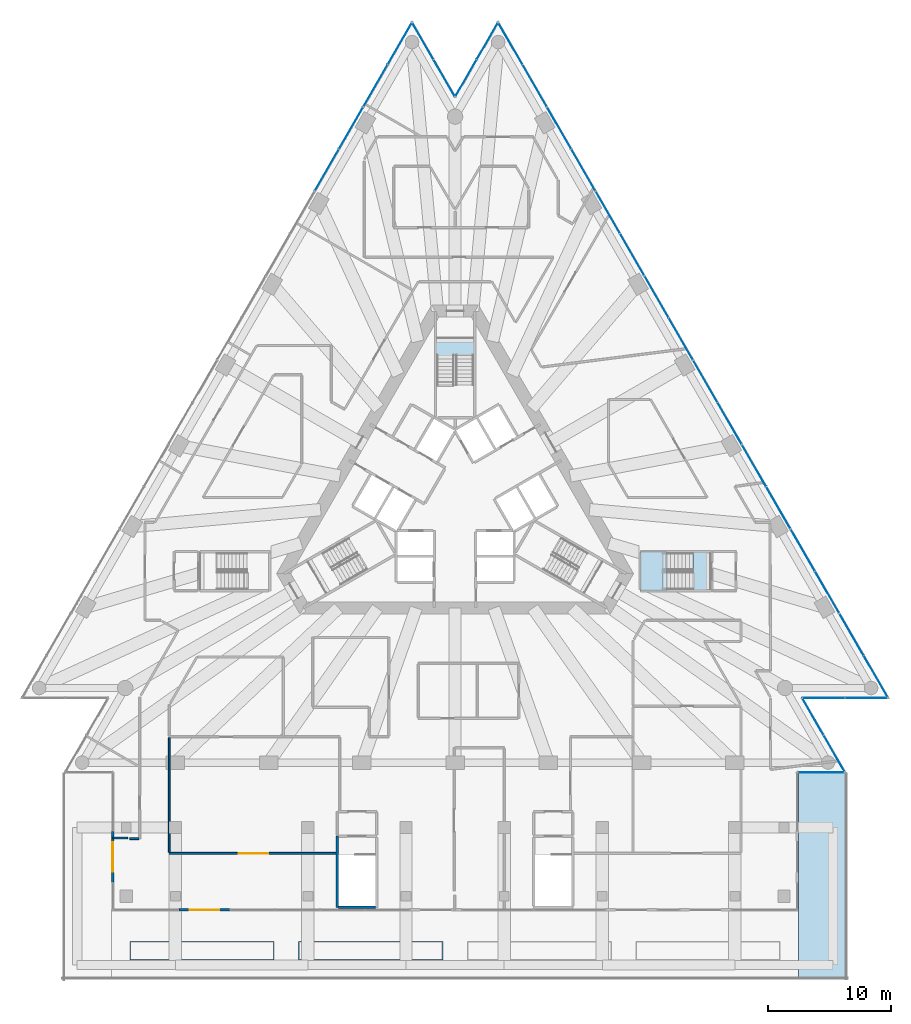
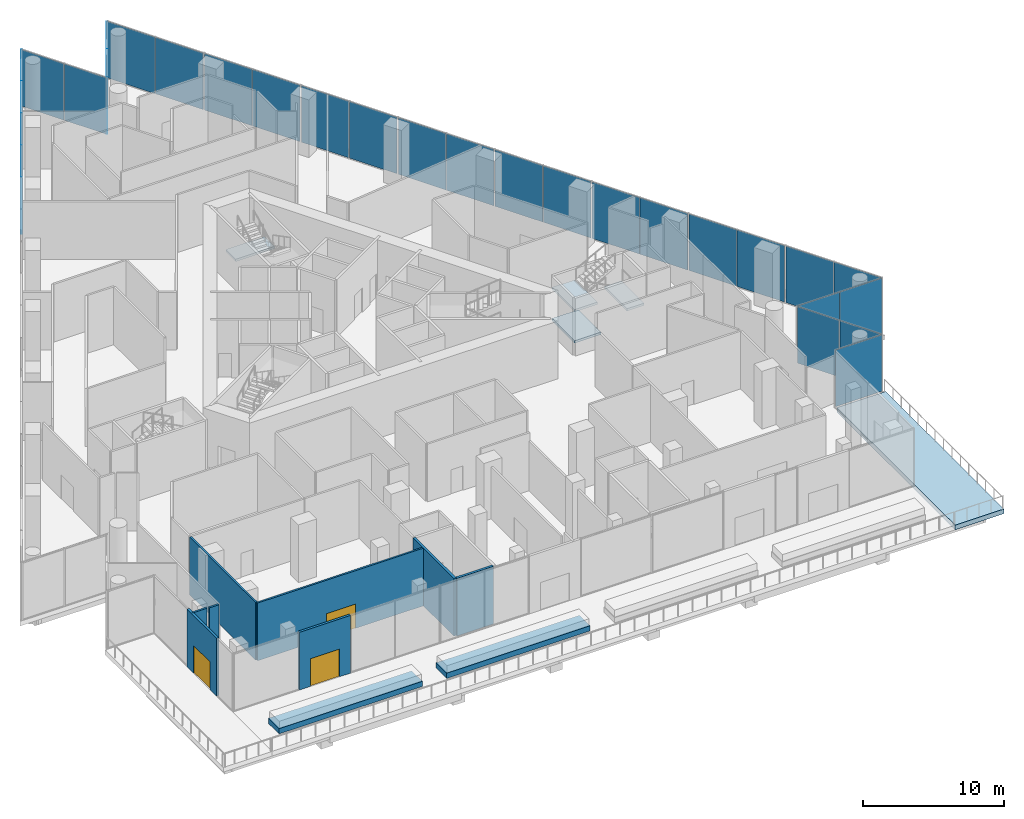
# One storey, part 20 of 29: 29 plates, 10 walls, 5 slabs, 3 doors, 3 openings, 17 elements without a shape of their own.
"""IFC4 building model written with IfcOpenShell, lengths in metres."""

from ifc_helpers import new_model, si_unit, direction, frame, frame_2d, origin, origin_2d, place, context, subcontext, project, spatial, polyline, rectangle, outline, extrude, material, layer, layer_set, layer_usage, type_object, element, fill, aggregate, save


model = new_model("IFC4")

# Units and contexts
model_context = context("Model", 3, precision=1e-05, world=origin(), true_north=direction((0.0, 1.0)))
body_context = subcontext(model_context, "Body", "Model", "MODEL_VIEW")
ifc_project = project(units=[si_unit("LENGTHUNIT", "METRE"), si_unit("AREAUNIT", "SQUARE_METRE"), si_unit("VOLUMEUNIT", "CUBIC_METRE"), si_unit("PLANEANGLEUNIT", "RADIAN"), si_unit("MASSUNIT", "GRAM", prefix="KILO")], contexts=[model_context])

# Site, building, storey
site_placement = place(None, origin())
site = spatial("IfcSite", under=ifc_project, at=site_placement, CompositionType="ELEMENT")
building_placement = place(site_placement, origin())
building = spatial("IfcBuilding", under=site, at=building_placement, Name="Triada Interchange Tower", CompositionType="ELEMENT")
storey_placement = place(building_placement, frame((0.0, 0.0, 19.89990234375)))
storey = spatial("IfcBuildingStorey", under=building, at=storey_placement, Name="L03", CompositionType="ELEMENT", Elevation=19.89990234375)

# Curtain wall, plate
ifc_material_1 = material(Name="Aluminium framed glazing", Category="aluminium")
ifc_layer_1 = layer(ifc_material_1, 0.199951171875)
ifc_layer_set_1 = layer_set([ifc_layer_1], Name="Curtain wall Retail shopfront")
curtain_wall_type = type_object("IfcCurtainWallType", Name="Curtain wall Retail shopfront", PredefinedType="NOTDEFINED", material=ifc_layer_set_1)
curtain_wall_1_placement = place(storey_placement, origin())
curtain_wall_1 = element("IfcCurtainWall", 1, at=curtain_wall_1_placement, inside=storey, type_object=curtain_wall_type, Name="Retail shopfront CW010 L03", PredefinedType="NOTDEFINED")
ifc_material_2 = material(Name="Insulated glazing unit", Category="glass")
ifc_layer_2 = layer(ifc_material_2, 0.028076171875)
ifc_layer_set_2 = layer_set([ifc_layer_2], Name="Glazing panel Retail shopfront 28")
plate_type = type_object("IfcPlateType", Name="Glazing panel Retail shopfront 28", PredefinedType="CURTAIN_PANEL", material=ifc_layer_set_2)
plate_1_placement = place(storey_placement, frame((29.841552734375, -22.39990234375, 0.050048828125), z_axis=(0.0, 0.0, 1.0), x_axis=(1.0, 0.0, 0.0)))
plate_1 = element("IfcPlate", 2, at=plate_1_placement, type_object=plate_type, Name="CW010 panel 1.1", PredefinedType="CURTAIN_PANEL", context=body_context, shape_type="SweptSolid", body=[
    extrude(rectangle(XDim=3.782958984375, YDim=0.028076171875, at=origin_2d()), origin(), (0.0, 0.0, 1.0), 4.89990234375),
])
aggregate(curtain_wall_1, [plate_1])

# Curtain wall, plates
curtain_wall_2_placement = place(storey_placement, origin())
curtain_wall_2 = element("IfcCurtainWall", 3, at=curtain_wall_2_placement, inside=storey, type_object=curtain_wall_type, Name="Retail shopfront CW011 L03", PredefinedType="NOTDEFINED")
plate_2_placement = place(storey_placement, frame((30.89990234375, -20.870361328125, 0.050048828125), z_axis=(0.0, 0.0, 1.0), x_axis=(-0.499956922962, 0.866050272896, 0.0)))
plate_2 = element("IfcPlate", 4, at=plate_2_placement, type_object=plate_type, Name="CW011 panel 1.1", PredefinedType="CURTAIN_PANEL", context=body_context, shape_type="SweptSolid", body=[
    extrude(rectangle(XDim=3.432373046875, YDim=0.028076171875, at=origin_2d()), origin(), (0.0, 0.0, 1.0), 4.89990234375),
])
plate_3_placement = place(storey_placement, frame((29.158935546875, -17.8544921875, 0.050048828125), z_axis=(0.0, 0.0, 1.0), x_axis=(-0.499956922962, 0.866050272896, 0.0)))
plate_3 = element("IfcPlate", 5, at=plate_3_placement, type_object=plate_type, Name="CW011 panel 2.1", PredefinedType="CURTAIN_PANEL", context=body_context, shape_type="SweptSolid", body=[
    extrude(rectangle(XDim=3.432373046875, YDim=0.028076171875, at=origin_2d()), origin(), (0.0, 0.0, 1.0), 4.89990234375),
])
aggregate(curtain_wall_2, [plate_2, plate_3])

curtain_wall_3_placement = place(storey_placement, origin())
curtain_wall_3 = element("IfcCurtainWall", 6, at=curtain_wall_3_placement, inside=storey, type_object=curtain_wall_type, Name="Retail shopfront CW012 L03", PredefinedType="NOTDEFINED")
plate_4_placement = place(storey_placement, frame((30.042236328125, -16.324951171875, 0.050048828125), z_axis=(0.0, 0.0, 1.0), x_axis=(1.0, 0.0, 0.0)))
plate_4 = element("IfcPlate", 7, at=plate_4_placement, type_object=plate_type, Name="CW012 panel 1.1", PredefinedType="CURTAIN_PANEL", context=body_context, shape_type="SweptSolid", body=[
    extrude(rectangle(XDim=3.4326171875, YDim=0.028076171875, at=origin_2d()), origin(), (0.0, 0.0, 1.0), 4.89990234375),
])
plate_5_placement = place(storey_placement, frame((33.524658203125, -16.324951171875, 0.050048828125), z_axis=(0.0, 0.0, 1.0), x_axis=(1.0, 0.0, 0.0)))
plate_5 = element("IfcPlate", 8, at=plate_5_placement, type_object=plate_type, Name="CW012 panel 2.1", PredefinedType="CURTAIN_PANEL", context=body_context, shape_type="SweptSolid", body=[
    extrude(rectangle(XDim=3.4326171875, YDim=0.028076171875, at=origin_2d()), origin(), (0.0, 0.0, 1.0), 4.89990234375),
])
aggregate(curtain_wall_3, [plate_4, plate_5])

curtain_wall_4_placement = place(storey_placement, origin())
curtain_wall_4 = element("IfcCurtainWall", 9, at=curtain_wall_4_placement, inside=storey, type_object=curtain_wall_type, Name="Retail shopfront CW013 L03", PredefinedType="NOTDEFINED")
plate_6_placement = place(storey_placement, frame((34.292236328125, -14.594970703125, 0.050048828125), z_axis=(0.0, 0.0, 1.0), x_axis=(-0.499958648825, 0.86604927658, 0.0)))
plate_6 = element("IfcPlate", 10, at=plate_6_placement, type_object=plate_type, Name="CW013 panel 1.1", PredefinedType="CURTAIN_PANEL", context=body_context, shape_type="SweptSolid", body=[
    extrude(rectangle(XDim=3.895263671875, YDim=0.028076171875, at=origin_2d()), origin(), (0.0, 0.0, 1.0), 4.89990234375),
])
plate_7_placement = place(storey_placement, frame((32.31982421875, -11.177978515625, 0.050048828125), z_axis=(0.0, 0.0, 1.0), x_axis=(-0.499958648825, 0.86604927658, 0.0)))
plate_7 = element("IfcPlate", 11, at=plate_7_placement, type_object=plate_type, Name="CW013 panel 2.1", PredefinedType="CURTAIN_PANEL", context=body_context, shape_type="SweptSolid", body=[
    extrude(rectangle(XDim=3.895263671875, YDim=0.028076171875, at=origin_2d()), origin(), (0.0, 0.0, 1.0), 4.89990234375),
])
aggregate(curtain_wall_4, [plate_6, plate_7])

curtain_wall_5_placement = place(storey_placement, origin())
curtain_wall_5 = element("IfcCurtainWall", 12, at=curtain_wall_5_placement, inside=storey, type_object=curtain_wall_type, Name="Retail shopfront CW014 L03", PredefinedType="NOTDEFINED")
plate_8_placement = place(storey_placement, frame((30.31689453125, -7.710205078125, 0.050048828125), z_axis=(0.0, 0.0, 1.0), x_axis=(-0.499947913852, 0.866055473648, 0.0)))
plate_8 = element("IfcPlate", 13, at=plate_8_placement, type_object=plate_type, Name="CW014 panel 1.1", PredefinedType="CURTAIN_PANEL", context=body_context, shape_type="SweptSolid", body=[
    extrude(rectangle(XDim=3.892333984375, YDim=0.028076171875, at=origin_2d()), origin(), (0.0, 0.0, 1.0), 4.89990234375),
])
plate_9_placement = place(storey_placement, frame((28.345947265625, -4.2958984375, 0.050048828125), z_axis=(0.0, 0.0, 1.0), x_axis=(-0.499947913852, 0.866055473648, 0.0)))
plate_9 = element("IfcPlate", 14, at=plate_9_placement, type_object=plate_type, Name="CW014 panel 2.1", PredefinedType="CURTAIN_PANEL", context=body_context, shape_type="SweptSolid", body=[
    extrude(rectangle(XDim=3.892333984375, YDim=0.028076171875, at=origin_2d()), origin(), (0.0, 0.0, 1.0), 4.89990234375),
])
aggregate(curtain_wall_5, [plate_8, plate_9])

curtain_wall_6_placement = place(storey_placement, origin())
curtain_wall_6 = element("IfcCurtainWall", 15, at=curtain_wall_6_placement, inside=storey, type_object=curtain_wall_type, Name="Retail shopfront CW015 L03", PredefinedType="NOTDEFINED")
plate_10_placement = place(storey_placement, frame((26.343994140625, -0.8291015625, 0.050048828125), z_axis=(0.0, 0.0, 1.0), x_axis=(-0.499947913852, 0.866055473648, 0.0)))
plate_10 = element("IfcPlate", 16, at=plate_10_placement, type_object=plate_type, Name="CW015 panel 1.1", PredefinedType="CURTAIN_PANEL", context=body_context, shape_type="SweptSolid", body=[
    extrude(rectangle(XDim=3.892333984375, YDim=0.028076171875, at=origin_2d()), origin(), (0.0, 0.0, 1.0), 4.89990234375),
])
plate_11_placement = place(storey_placement, frame((24.373046875, 2.585205078125, 0.050048828125), z_axis=(0.0, 0.0, 1.0), x_axis=(-0.499947913852, 0.866055473648, 0.0)))
plate_11 = element("IfcPlate", 17, at=plate_11_placement, type_object=plate_type, Name="CW015 panel 2.1", PredefinedType="CURTAIN_PANEL", context=body_context, shape_type="SweptSolid", body=[
    extrude(rectangle(XDim=3.892333984375, YDim=0.028076171875, at=origin_2d()), origin(), (0.0, 0.0, 1.0), 4.89990234375),
])
aggregate(curtain_wall_6, [plate_10, plate_11])

curtain_wall_7_placement = place(storey_placement, origin())
curtain_wall_7 = element("IfcCurtainWall", 18, at=curtain_wall_7_placement, inside=storey, type_object=curtain_wall_type, Name="Retail shopfront CW016 L03", PredefinedType="NOTDEFINED")
plate_12_placement = place(storey_placement, frame((22.37109375, 6.052001953125, 0.050048828125), z_axis=(0.0, 0.0, 1.0), x_axis=(-0.499893351442, 0.866086968603, 0.0)))
plate_12 = element("IfcPlate", 19, at=plate_12_placement, type_object=plate_type, Name="CW016 panel 1.1", PredefinedType="CURTAIN_PANEL", context=body_context, shape_type="SweptSolid", body=[
    extrude(rectangle(XDim=3.892822265625, YDim=0.028076171875, at=origin_2d()), origin(), (0.0, 0.0, 1.0), 4.89990234375),
])
plate_13_placement = place(storey_placement, frame((20.39990234375, 9.467041015625, 0.050048828125), z_axis=(0.0, 0.0, 1.0), x_axis=(-0.499893351442, 0.866086968603, 0.0)))
plate_13 = element("IfcPlate", 20, at=plate_13_placement, type_object=plate_type, Name="CW016 panel 2.1", PredefinedType="CURTAIN_PANEL", context=body_context, shape_type="SweptSolid", body=[
    extrude(rectangle(XDim=3.892822265625, YDim=0.028076171875, at=origin_2d()), origin(), (0.0, 0.0, 1.0), 4.89990234375),
])
aggregate(curtain_wall_7, [plate_12, plate_13])

curtain_wall_8_placement = place(storey_placement, origin())
curtain_wall_8 = element("IfcCurtainWall", 21, at=curtain_wall_8_placement, inside=storey, type_object=curtain_wall_type, Name="Retail shopfront CW017 L03", PredefinedType="NOTDEFINED")
plate_14_placement = place(storey_placement, frame((18.39794921875, 12.93310546875, 0.050048828125), z_axis=(0.0, 0.0, 1.0), x_axis=(-0.499893351442, 0.866086968603, 0.0)))
plate_14 = element("IfcPlate", 22, at=plate_14_placement, type_object=plate_type, Name="CW017 panel 1.1", PredefinedType="CURTAIN_PANEL", context=body_context, shape_type="SweptSolid", body=[
    extrude(rectangle(XDim=3.892822265625, YDim=0.028076171875, at=origin_2d()), origin(), (0.0, 0.0, 1.0), 4.89990234375),
])
plate_15_placement = place(storey_placement, frame((16.427001953125, 16.347900390625, 0.050048828125), z_axis=(0.0, 0.0, 1.0), x_axis=(-0.499893351442, 0.866086968603, 0.0)))
plate_15 = element("IfcPlate", 23, at=plate_15_placement, type_object=plate_type, Name="CW017 panel 2.1", PredefinedType="CURTAIN_PANEL", context=body_context, shape_type="SweptSolid", body=[
    extrude(rectangle(XDim=3.892822265625, YDim=0.028076171875, at=origin_2d()), origin(), (0.0, 0.0, 1.0), 4.89990234375),
])
aggregate(curtain_wall_8, [plate_14, plate_15])

curtain_wall_9_placement = place(storey_placement, origin())
curtain_wall_9 = element("IfcCurtainWall", 24, at=curtain_wall_9_placement, inside=storey, type_object=curtain_wall_type, Name="Retail shopfront CW018 L03", PredefinedType="NOTDEFINED")
plate_16_placement = place(storey_placement, frame((14.425048828125, 19.81494140625, 0.050048828125), z_axis=(0.0, 0.0, 1.0), x_axis=(-0.499947913852, 0.866055473648, 0.0)))
plate_16 = element("IfcPlate", 25, at=plate_16_placement, type_object=plate_type, Name="CW018 panel 1.1", PredefinedType="CURTAIN_PANEL", context=body_context, shape_type="SweptSolid", body=[
    extrude(rectangle(XDim=3.892333984375, YDim=0.028076171875, at=origin_2d()), origin(), (0.0, 0.0, 1.0), 4.89990234375),
])
plate_17_placement = place(storey_placement, frame((12.4541015625, 23.229248046875, 0.050048828125), z_axis=(0.0, 0.0, 1.0), x_axis=(-0.499947913852, 0.866055473648, 0.0)))
plate_17 = element("IfcPlate", 26, at=plate_17_placement, type_object=plate_type, Name="CW018 panel 2.1", PredefinedType="CURTAIN_PANEL", context=body_context, shape_type="SweptSolid", body=[
    extrude(rectangle(XDim=3.892333984375, YDim=0.028076171875, at=origin_2d()), origin(), (0.0, 0.0, 1.0), 4.89990234375),
])
aggregate(curtain_wall_9, [plate_16, plate_17])

curtain_wall_10_placement = place(storey_placement, origin())
curtain_wall_10 = element("IfcCurtainWall", 27, at=curtain_wall_10_placement, inside=storey, type_object=curtain_wall_type, Name="Retail shopfront CW019 L03", PredefinedType="NOTDEFINED")
plate_18_placement = place(storey_placement, frame((10.451904296875, 26.69580078125, 0.050048828125), z_axis=(0.0, 0.0, 1.0), x_axis=(-0.499947913852, 0.866055473648, 0.0)))
plate_18 = element("IfcPlate", 28, at=plate_18_placement, type_object=plate_type, Name="CW019 panel 1.1", PredefinedType="CURTAIN_PANEL", context=body_context, shape_type="SweptSolid", body=[
    extrude(rectangle(XDim=3.892333984375, YDim=0.028076171875, at=origin_2d()), origin(), (0.0, 0.0, 1.0), 4.89990234375),
])
plate_19_placement = place(storey_placement, frame((8.48095703125, 30.110107421875, 0.050048828125), z_axis=(0.0, 0.0, 1.0), x_axis=(-0.499947913852, 0.866055473648, 0.0)))
plate_19 = element("IfcPlate", 29, at=plate_19_placement, type_object=plate_type, Name="CW019 panel 2.1", PredefinedType="CURTAIN_PANEL", context=body_context, shape_type="SweptSolid", body=[
    extrude(rectangle(XDim=3.892333984375, YDim=0.028076171875, at=origin_2d()), origin(), (0.0, 0.0, 1.0), 4.89990234375),
])
aggregate(curtain_wall_10, [plate_18, plate_19])

curtain_wall_11_placement = place(storey_placement, origin())
curtain_wall_11 = element("IfcCurtainWall", 30, at=curtain_wall_11_placement, inside=storey, type_object=curtain_wall_type, Name="Retail shopfront CW020 L03", PredefinedType="NOTDEFINED")
plate_20_placement = place(storey_placement, frame((6.478271484375, 33.578125, 0.050048828125), z_axis=(0.0, 0.0, 1.0), x_axis=(-0.499958648825, 0.86604927658, 0.0)))
plate_20 = element("IfcPlate", 31, at=plate_20_placement, type_object=plate_type, Name="CW020 panel 1.1", PredefinedType="CURTAIN_PANEL", context=body_context, shape_type="SweptSolid", body=[
    extrude(rectangle(XDim=3.895263671875, YDim=0.028076171875, at=origin_2d()), origin(), (0.0, 0.0, 1.0), 4.89990234375),
])
plate_21_placement = place(storey_placement, frame((4.505859375, 36.994873046875, 0.050048828125), z_axis=(0.0, 0.0, 1.0), x_axis=(-0.499958648825, 0.86604927658, 0.0)))
plate_21 = element("IfcPlate", 32, at=plate_21_placement, type_object=plate_type, Name="CW020 panel 2.1", PredefinedType="CURTAIN_PANEL", context=body_context, shape_type="SweptSolid", body=[
    extrude(rectangle(XDim=3.895263671875, YDim=0.028076171875, at=origin_2d()), origin(), (0.0, 0.0, 1.0), 4.89990234375),
])
aggregate(curtain_wall_11, [plate_20, plate_21])

curtain_wall_12_placement = place(storey_placement, origin())
curtain_wall_12 = element("IfcCurtainWall", 33, at=curtain_wall_12_placement, inside=storey, type_object=curtain_wall_type, Name="Retail shopfront CW021 L03", PredefinedType="NOTDEFINED")
plate_22_placement = place(storey_placement, frame((2.6240234375, 37.1953125, 0.050048828125), z_axis=(0.0, 0.0, 1.0), x_axis=(-0.499956922962, -0.866050272896, 0.0)))
plate_22 = element("IfcPlate", 34, at=plate_22_placement, type_object=plate_type, Name="CW021 panel 1.1", PredefinedType="CURTAIN_PANEL", context=body_context, shape_type="SweptSolid", body=[
    extrude(rectangle(XDim=3.432373046875, YDim=0.028076171875, at=origin_2d()), origin(), (0.0, 0.0, 1.0), 4.89990234375),
])
plate_23_placement = place(storey_placement, frame((0.883056640625, 34.1796875, 0.050048828125), z_axis=(0.0, 0.0, 1.0), x_axis=(-0.499956922962, -0.866050272896, 0.0)))
plate_23 = element("IfcPlate", 35, at=plate_23_placement, type_object=plate_type, Name="CW021 panel 2.1", PredefinedType="CURTAIN_PANEL", context=body_context, shape_type="SweptSolid", body=[
    extrude(rectangle(XDim=3.432373046875, YDim=0.028076171875, at=origin_2d()), origin(), (0.0, 0.0, 1.0), 4.89990234375),
])
aggregate(curtain_wall_12, [plate_22, plate_23])

curtain_wall_13_placement = place(storey_placement, origin())
curtain_wall_13 = element("IfcCurtainWall", 36, at=curtain_wall_13_placement, inside=storey, type_object=curtain_wall_type, Name="Retail shopfront CW022 L03", PredefinedType="NOTDEFINED")
plate_24_placement = place(storey_placement, frame((-0.883056640625, 34.1796875, 0.050048828125), z_axis=(0.0, 0.0, 1.0), x_axis=(-0.499956922962, 0.866050272896, 0.0)))
plate_24 = element("IfcPlate", 37, at=plate_24_placement, type_object=plate_type, Name="CW022 panel 1.1", PredefinedType="CURTAIN_PANEL", context=body_context, shape_type="SweptSolid", body=[
    extrude(rectangle(XDim=3.432373046875, YDim=0.028076171875, at=origin_2d()), origin(), (0.0, 0.0, 1.0), 4.89990234375),
])
plate_25_placement = place(storey_placement, frame((-2.6240234375, 37.1953125, 0.050048828125), z_axis=(0.0, 0.0, 1.0), x_axis=(-0.499956922962, 0.866050272896, 0.0)))
plate_25 = element("IfcPlate", 38, at=plate_25_placement, type_object=plate_type, Name="CW022 panel 2.1", PredefinedType="CURTAIN_PANEL", context=body_context, shape_type="SweptSolid", body=[
    extrude(rectangle(XDim=3.432373046875, YDim=0.028076171875, at=origin_2d()), origin(), (0.0, 0.0, 1.0), 4.89990234375),
])
aggregate(curtain_wall_13, [plate_24, plate_25])

curtain_wall_14_placement = place(storey_placement, origin())
curtain_wall_14 = element("IfcCurtainWall", 39, at=curtain_wall_14_placement, inside=storey, type_object=curtain_wall_type, Name="Retail shopfront CW023 L03", PredefinedType="NOTDEFINED")
plate_26_placement = place(storey_placement, frame((-4.505859375, 36.994873046875, 0.050048828125), z_axis=(0.0, 0.0, 1.0), x_axis=(-0.499958648825, -0.86604927658, 0.0)))
plate_26 = element("IfcPlate", 40, at=plate_26_placement, type_object=plate_type, Name="CW023 panel 1.1", PredefinedType="CURTAIN_PANEL", context=body_context, shape_type="SweptSolid", body=[
    extrude(rectangle(XDim=3.895263671875, YDim=0.028076171875, at=origin_2d()), origin(), (0.0, 0.0, 1.0), 4.89990234375),
])
plate_27_placement = place(storey_placement, frame((-6.478271484375, 33.578125, 0.050048828125), z_axis=(0.0, 0.0, 1.0), x_axis=(-0.499958648825, -0.86604927658, 0.0)))
plate_27 = element("IfcPlate", 41, at=plate_27_placement, type_object=plate_type, Name="CW023 panel 2.1", PredefinedType="CURTAIN_PANEL", context=body_context, shape_type="SweptSolid", body=[
    extrude(rectangle(XDim=3.895263671875, YDim=0.028076171875, at=origin_2d()), origin(), (0.0, 0.0, 1.0), 4.89990234375),
])
aggregate(curtain_wall_14, [plate_26, plate_27])

curtain_wall_15_placement = place(storey_placement, origin())
curtain_wall_15 = element("IfcCurtainWall", 42, at=curtain_wall_15_placement, inside=storey, type_object=curtain_wall_type, Name="Retail shopfront CW024 L03", PredefinedType="NOTDEFINED")
plate_28_placement = place(storey_placement, frame((-8.48095703125, 30.110107421875, 0.050048828125), z_axis=(0.0, 0.0, 1.0), x_axis=(-0.499947913852, -0.866055473648, 0.0)))
plate_28 = element("IfcPlate", 43, at=plate_28_placement, type_object=plate_type, Name="CW024 panel 1.1", PredefinedType="CURTAIN_PANEL", context=body_context, shape_type="SweptSolid", body=[
    extrude(rectangle(XDim=3.892333984375, YDim=0.028076171875, at=origin_2d()), origin(), (0.0, 0.0, 1.0), 4.89990234375),
])
plate_29_placement = place(storey_placement, frame((-10.451904296875, 26.69580078125, 0.050048828125), z_axis=(0.0, 0.0, 1.0), x_axis=(-0.499947913852, -0.866055473648, 0.0)))
plate_29 = element("IfcPlate", 44, at=plate_29_placement, type_object=plate_type, Name="CW024 panel 2.1", PredefinedType="CURTAIN_PANEL", context=body_context, shape_type="SweptSolid", body=[
    extrude(rectangle(XDim=3.892333984375, YDim=0.028076171875, at=origin_2d()), origin(), (0.0, 0.0, 1.0), 4.89990234375),
])
aggregate(curtain_wall_15, [plate_28, plate_29])

# Stair, slab
ifc_material_3 = material(Name="Concrete C35/45", Category="concrete")
stair_type = type_object("IfcStairType", Name="HALF TURN STAIR 1400", PredefinedType="HALF_TURN_STAIR", material=ifc_material_3)
stair_1_placement = place(storey_placement, origin())
stair_1 = element("IfcStair", 45, at=stair_1_placement, inside=storey, type_object=stair_type, Name="Exit stair S03-1", PredefinedType="HALF_TURN_STAIR")
ifc_layer_3 = layer(ifc_material_3, 0.199951171875)
ifc_layer_set_3 = layer_set([ifc_layer_3], Name="STAIR LANDING 200")
slab_type_1 = type_object("IfcSlabType", Name="STAIR LANDING 200", PredefinedType="LANDING", material=ifc_layer_set_3)
slab_1_placement = place(storey_placement, frame((0.0, 0.0, 2.34130859375)))
slab_1 = element("IfcSlab", 46, at=slab_1_placement, type_object=slab_type_1, Name="S03-1 landing 3", PredefinedType="LANDING", context=body_context, shape_type="SweptSolid", body=[
    extrude(outline(polyline([(1.60009765625, 11.60009765625), (1.60009765625, 13.0), (-1.60009765625, 13.0), (-1.60009765625, 11.60009765625), (1.60009765625, 11.60009765625)])), origin(), (0.0, 0.0, 1.0), 0.199951171875),
])
aggregate(stair_1, [slab_1])

# Stair, slabs
stair_2_placement = place(storey_placement, origin())
stair_2 = element("IfcStair", 47, at=stair_2_placement, inside=storey, type_object=stair_type, Name="Exit stair S03-7", PredefinedType="HALF_TURN_STAIR")
slab_2_placement = place(storey_placement, frame((0.0, 0.0, 1.07080078125)))
slab_2 = element("IfcSlab", 48, at=slab_2_placement, type_object=slab_type_1, Name="S03-7 landing 1", PredefinedType="LANDING", context=body_context, shape_type="SweptSolid", body=[
    extrude(outline(polyline([(15.10009765625, -7.60009765625), (17.264892578125, -7.60009765625), (17.264892578125, -4.39990234375), (15.10009765625, -4.39990234375), (15.10009765625, -7.60009765625)])), origin(), (0.0, 0.0, 1.0), 0.199951171875),
])
slab_3_placement = place(storey_placement, frame((0.0, 0.0, 3.7705078125)))
slab_3 = element("IfcSlab", 49, at=slab_3_placement, type_object=slab_type_1, Name="S03-7 landing 2", PredefinedType="LANDING", context=body_context, shape_type="SweptSolid", body=[
    extrude(outline(polyline([(15.10009765625, -7.60009765625), (16.9599609375, -7.60009765625), (16.9599609375, -4.39990234375), (15.10009765625, -4.39990234375), (15.10009765625, -7.60009765625)])), origin(), (0.0, 0.0, 1.0), 0.2001953125),
])
slab_4_placement = place(storey_placement, frame((0.0, 0.0, 2.34130859375)))
slab_4 = element("IfcSlab", 50, at=slab_4_placement, type_object=slab_type_1, Name="S03-7 landing 3", PredefinedType="LANDING", context=body_context, shape_type="SweptSolid", body=[
    extrude(outline(polyline([(19.39990234375, -7.60009765625), (20.800048828125, -7.60009765625), (20.800048828125, -4.39990234375), (19.39990234375, -4.39990234375), (19.39990234375, -7.60009765625)])), origin(), (0.0, 0.0, 1.0), 0.199951171875),
])
aggregate(stair_2, [slab_2, slab_3, slab_4])

# Slab
ifc_material_4 = material(Name="Concrete C30/37 paving slab", Category="concrete")
ifc_layer_4 = layer(ifc_material_4, 0.0400390625, Name="Paving slab")
ifc_material_5 = material(Name="Drainage mat")
ifc_layer_5 = layer(ifc_material_5, 0.02490234375, Name="Drainage layer")
ifc_material_6 = material(Name="Bituminous membrane")
ifc_layer_6 = layer(ifc_material_6, 0.0048828125, Name="Waterproof membrane")
ifc_material_7 = material(Name="Mineral wool")
ifc_layer_7 = layer(ifc_material_7, 0.080078125, Name="Thermal insulation")
ifc_material_8 = material(Name="Screed CT-C25-F4")
ifc_layer_8 = layer(ifc_material_8, 0.050048828125, Name="Screed to falls")
ifc_material_9 = material(Name="Concrete C40/50", Category="concrete")
ifc_layer_9 = layer(ifc_material_9, 0.199951171875, Name="Reinforced concrete slab")
ifc_layer_set_4 = layer_set([ifc_layer_4, ifc_layer_5, ifc_layer_6, ifc_layer_7, ifc_layer_8, ifc_layer_9], Name="Terrace slab 400")
ifc_layer_usage_1 = layer_usage(ifc_layer_set_4, "AXIS3", "POSITIVE", 0.0)
slab_type_2 = type_object("IfcSlabType", Name="Terrace slab 400", PredefinedType="FLOOR", material=ifc_layer_set_4)
slab_5_placement = place(storey_placement, frame((0.0, 0.0, -0.39990234375)))
element("IfcSlab", 51, at=slab_5_placement, inside=storey, type_object=slab_type_2, material=ifc_layer_usage_1, Name="Terrace slab L03 2", PredefinedType="FLOOR", context=body_context, shape_type="SweptSolid", body=[
    extrude(outline(polyline([(28.0, -39.300048828125), (32.0, -39.300048828125), (32.0, -22.5), (28.0, -22.5), (28.0, -39.300048828125)])), origin(), (0.0, 0.0, 1.0), 0.39990234375),
])

# Walls
ifc_material_10 = material(Name="Concrete C30/37", Category="concrete")
ifc_layer_10 = layer(ifc_material_10, 0.199951171875)
ifc_layer_set_5 = layer_set([ifc_layer_10], Name="CORE WALL 200 REI 240")
wall_type_1 = type_object("IfcWallType", Name="CORE WALL 200 REI 240", PredefinedType="SOLIDWALL", material=ifc_layer_set_5)
wall_1_placement = place(storey_placement, frame((-9.60009765625, -33.39990234375, 0.0), z_axis=(0.0, 0.0, 1.0), x_axis=(0.0, 1.0, 0.0)))
element("IfcWall", 52, at=wall_1_placement, inside=storey, type_object=wall_type_1, Name="Wall L03 167", PredefinedType="SOLIDWALL", context=body_context, shape_type="SweptSolid", body=[
    extrude(rectangle(XDim=5.7998046875, YDim=0.199951171875, at=frame_2d((2.89990234375, 0.0))), origin(), (0.0, 0.0, 1.0), 5.0),
])
wall_2_placement = place(storey_placement, frame((-9.5, -33.39990234375, 0.0), z_axis=(0.0, 0.0, 1.0), x_axis=(1.0, 0.0, 0.0)))
element("IfcWall", 53, at=wall_2_placement, inside=storey, type_object=wall_type_1, Name="Wall L03 171", PredefinedType="SOLIDWALL", context=body_context, shape_type="SweptSolid", body=[
    extrude(rectangle(XDim=3.0, YDim=0.199951171875, at=frame_2d((1.5, 0.0))), origin(), (0.0, 0.0, 1.0), 5.0),
])

# Wall, opening, door
ifc_material_11 = material(Name="Cement board")
ifc_layer_11 = layer(ifc_material_11, 0.02001953125, Name="Cement board cladding")
ifc_material_12 = material(Name="Sheathing board")
ifc_layer_12 = layer(ifc_material_12, 0.014892578125, Name="Sheathing board")
ifc_layer_13 = layer(ifc_material_7, 0.14990234375, Name="Mineral wool between steel studs")
ifc_material_13 = material(Name="Gypsum board")
ifc_layer_14 = layer(ifc_material_13, 0.014892578125, Name="Plasterboard lining")
ifc_layer_set_6 = layer_set([ifc_layer_11, ifc_layer_12, ifc_layer_13, ifc_layer_14], Name="External wall 200")
ifc_layer_usage_2 = layer_usage(ifc_layer_set_6, "AXIS2", "POSITIVE", -0.10009765625)
wall_type_2 = type_object("IfcWallType", Name="External wall 200", PredefinedType="ELEMENTEDWALL", material=ifc_layer_set_6)
wall_3_placement = place(storey_placement, frame((-22.52490234375, -33.60009765625, 0.0), z_axis=(0.0, 0.0, 1.0), x_axis=(1.0, 0.0, 0.0)))
wall_3 = element("IfcWall", 54, at=wall_3_placement, inside=storey, type_object=wall_type_2, material=ifc_layer_usage_2, Name="External wall L03 00.1", PredefinedType="ELEMENTEDWALL", context=body_context, shape_type="SweptSolid", body=[
    extrude(rectangle(XDim=4.199951171875, YDim=0.199951171875, at=frame_2d((2.10009765625, 0.0))), origin(), (0.0, 0.0, 1.0), 5.0),
])
opening_1_placement = place(wall_3_placement, frame((0.89990234375, 0.0, 0.0)))
opening_1 = element("IfcOpeningElement", 55, at=opening_1_placement, cuts=wall_3, Name="Opening DX44", PredefinedType="OPENING", context=body_context, shape_type="SweptSolid", body=[
    extrude(rectangle(XDim=2.39990234375, YDim=2.39990234375, at=frame_2d((1.199951171875, 1.199951171875))), frame((0.0, 0.10986328125, 0.0), z_axis=(0.0, -1.0, 0.0), x_axis=(1.0, 0.0, 0.0)), (0.0, 0.0, 1.0), 0.219970703125),
])
ifc_material_14 = material(Name="Aluminium and glass", Category="aluminium")
door_type_1 = type_object("IfcDoorType", Name="Terrace door double", OperationType="DOUBLE_DOOR_SINGLE_SWING", PredefinedType="DOOR", material=ifc_material_14)
door_1_placement = place(opening_1_placement, frame((2.39990234375, 0.0, 0.0), z_axis=(0.0, 0.0, 1.0), x_axis=(-1.0, 0.0, 0.0)))
door_1 = element("IfcDoor", 56, at=door_1_placement, inside=storey, type_object=door_type_1, Name="Door DX44 L03", OperationType="DOUBLE_DOOR_SINGLE_SWING", OverallHeight=2.39990234375, OverallWidth=2.39990234375, PredefinedType="DOOR", context=body_context, shape_type="SweptSolid", body=[
    extrude(rectangle(XDim=2.39990234375, YDim=2.39990234375, at=frame_2d((1.199951171875, 1.199951171875))), frame((0.0, 0.02490234375, 0.0), z_axis=(0.0, -1.0, 0.0), x_axis=(1.0, 0.0, 0.0)), (0.0, 0.0, 1.0), 0.050048828125),
])
fill(opening_1, door_1)

wall_4_placement = place(storey_placement, frame((-27.89990234375, -27.199951171875, 0.0), z_axis=(0.0, 0.0, 1.0), x_axis=(0.0, -1.0, 0.0)))
wall_4 = element("IfcWall", 57, at=wall_4_placement, inside=storey, type_object=wall_type_2, material=ifc_layer_usage_2, Name="External wall L03 12.1", PredefinedType="ELEMENTEDWALL", context=body_context, shape_type="SweptSolid", body=[
    extrude(rectangle(XDim=4.199951171875, YDim=0.199951171875, at=frame_2d((2.10009765625, 0.0))), origin(), (0.0, 0.0, 1.0), 5.0),
])
opening_2_placement = place(wall_4_placement, frame((0.89990234375, 0.0, 0.0)))
opening_2 = element("IfcOpeningElement", 58, at=opening_2_placement, cuts=wall_4, Name="Opening DX49", PredefinedType="OPENING", context=body_context, shape_type="SweptSolid", body=[
    extrude(rectangle(XDim=2.39990234375, YDim=2.39990234375, at=frame_2d((1.199951171875, 1.199951171875))), frame((0.0, 0.10986328125, 0.0), z_axis=(0.0, -1.0, 0.0), x_axis=(1.0, 0.0, 0.0)), (0.0, 0.0, 1.0), 0.219970703125),
])
door_2_placement = place(opening_2_placement, frame((2.39990234375, 0.0, 0.0), z_axis=(0.0, 0.0, 1.0), x_axis=(-1.0, 0.0, 0.0)))
door_2 = element("IfcDoor", 59, at=door_2_placement, inside=storey, type_object=door_type_1, Name="Door DX49 L03", OperationType="DOUBLE_DOOR_SINGLE_SWING", OverallHeight=2.39990234375, OverallWidth=2.39990234375, PredefinedType="DOOR", context=body_context, shape_type="SweptSolid", body=[
    extrude(rectangle(XDim=2.39990234375, YDim=2.39990234375, at=frame_2d((1.199951171875, 1.199951171875))), frame((0.0, 0.02490234375, 0.0), z_axis=(0.0, -1.0, 0.0), x_axis=(1.0, 0.0, 0.0)), (0.0, 0.0, 1.0), 0.050048828125),
])
fill(opening_2, door_2)

# Walls
ifc_material_15 = material(Name="Gypsum board partition")
ifc_layer_15 = layer(ifc_material_15, 0.14990234375)
ifc_layer_set_7 = layer_set([ifc_layer_15], Name="PARTITION 150 EI 90")
wall_type_3 = type_object("IfcWallType", Name="PARTITION 150 EI 90", PredefinedType="PARTITIONING", material=ifc_layer_set_7)
wall_5_placement = place(storey_placement, frame((-26.52099609375, -27.800048828125, 0.0), z_axis=(0.0, 0.0, 1.0), x_axis=(1.0, 0.0, 0.0)))
element("IfcWall", 60, at=wall_5_placement, inside=storey, type_object=wall_type_3, Name="Wall L03 27", PredefinedType="PARTITIONING", context=body_context, shape_type="SweptSolid", body=[
    extrude(rectangle(XDim=0.74609375, YDim=0.14990234375, at=frame_2d((0.373046875, 0.0))), origin(), (0.0, 0.0, 1.0), 5.0),
])
wall_6_placement = place(storey_placement, frame((-27.89990234375, -27.75, 0.0), z_axis=(0.0, 0.0, 1.0), x_axis=(1.0, 0.0, 0.0)))
element("IfcWall", 61, at=wall_6_placement, inside=storey, type_object=wall_type_3, Name="Wall L03 28", PredefinedType="PARTITIONING", context=body_context, shape_type="SweptSolid", body=[
    extrude(rectangle(XDim=1.199951171875, YDim=0.14990234375, at=frame_2d((0.60009765625, 0.0))), origin(), (0.0, 0.0, 1.0), 5.0),
])

# Wall, opening, door
wall_7_placement = place(storey_placement, frame((-23.300048828125, -29.0, 0.0), z_axis=(0.0, 0.0, 1.0), x_axis=(1.0, 0.0, 0.0)))
wall_7 = element("IfcWall", 62, at=wall_7_placement, inside=storey, type_object=wall_type_3, Name="Wall L03 38", PredefinedType="PARTITIONING", context=body_context, shape_type="SweptSolid", body=[
    extrude(rectangle(XDim=13.60009765625, YDim=0.14990234375, at=frame_2d((6.800048828125, 0.0))), origin(), (0.0, 0.0, 1.0), 5.0),
])
opening_3_placement = place(wall_7_placement, frame((5.64990234375, 0.0, 0.0)))
opening_3 = element("IfcOpeningElement", 63, at=opening_3_placement, cuts=wall_7, Name="Opening D03-19", PredefinedType="OPENING", context=body_context, shape_type="SweptSolid", body=[
    extrude(rectangle(XDim=2.39990234375, YDim=2.10009765625, at=frame_2d((1.199951171875, 1.050048828125))), frame((0.0, 0.0849609375, 0.0), z_axis=(0.0, -1.0, 0.0), x_axis=(1.0, 0.0, 0.0)), (0.0, 0.0, 1.0), 0.169921875),
])
ifc_material_16 = material(Name="Steel S235 door leaf", Category="steel")
door_type_2 = type_object("IfcDoorType", Name="SHOP AND HALL ENTRANCE DOOR 2400 EI2 90-C5S200", OperationType="DOUBLE_DOOR_SINGLE_SWING", PredefinedType="DOOR", material=ifc_material_16)
door_3_placement = place(opening_3_placement, origin())
door_3 = element("IfcDoor", 64, at=door_3_placement, inside=storey, type_object=door_type_2, Name="Door D03-19 L03", OperationType="DOUBLE_DOOR_SINGLE_SWING", OverallHeight=2.10009765625, OverallWidth=2.39990234375, PredefinedType="DOOR", context=body_context, shape_type="SweptSolid", body=[
    extrude(rectangle(XDim=2.39990234375, YDim=2.10009765625, at=frame_2d((1.199951171875, 1.050048828125))), frame((0.0, 0.02490234375, 0.0), z_axis=(0.0, -1.0, 0.0), x_axis=(1.0, 0.0, 0.0)), (0.0, 0.0, 1.0), 0.050048828125),
])
fill(opening_3, door_3)

# Walls
wall_8_placement = place(storey_placement, frame((-23.300048828125, -28.925048828125, 0.0), z_axis=(0.0, 0.0, 1.0), x_axis=(0.0, 1.0, 0.0)))
element("IfcWall", 65, at=wall_8_placement, inside=storey, type_object=wall_type_3, Name="Wall L03 40", PredefinedType="PARTITIONING", context=body_context, shape_type="SweptSolid", body=[
    extrude(rectangle(XDim=9.35009765625, YDim=0.14990234375, at=frame_2d((4.675048828125, 0.0))), origin(), (0.0, 0.0, 1.0), 5.0),
])
ifc_layer_16 = layer(ifc_material_10, 1.5)
ifc_layer_set_8 = layer_set([ifc_layer_16], Name="Planter bed 450")
wall_type_4 = type_object("IfcWallType", Name="Planter bed 450", PredefinedType="STANDARD", material=ifc_layer_set_8)
for number, where, z_axis, x_axis, name in (
    (66, (-26.5, -36.929931640625, 0.0), (0.0, 0.0, 1.0), (1.0, 0.0, 0.0), "PLANTER L03 12"),
    (67, (-12.75, -36.929931640625, 0.0), (0.0, 0.0, 1.0), (1.0, 0.0, 0.0), "PLANTER L03 13"),
):
    element("IfcWall", number, at=place(storey_placement, frame(where, z_axis=z_axis, x_axis=x_axis)), inside=storey, type_object=wall_type_4, Name=name, PredefinedType="STANDARD", context=body_context, shape_type="SweptSolid", body=[
        extrude(rectangle(XDim=11.75, YDim=1.5, at=frame_2d((5.875, 0.0))), origin(), (0.0, 0.0, 1.0), 0.4501953125),
    ])

save(model, "model.ifc")
